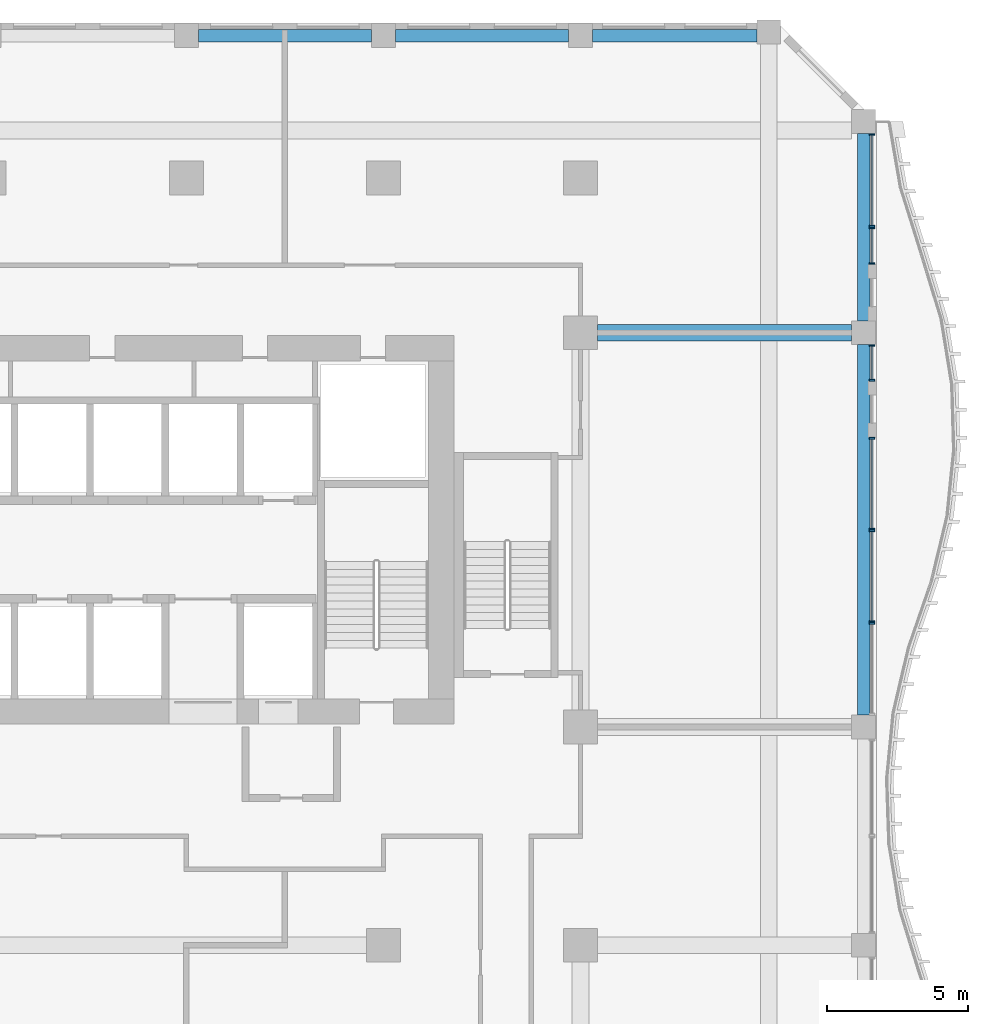
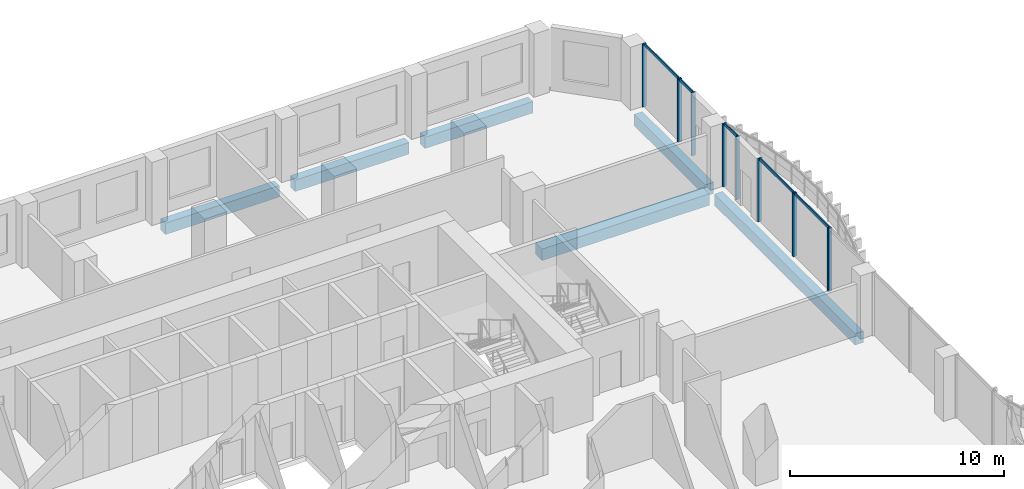
# One storey, part 8 of 19: 16 members, 6 beams, 6 elements without a shape of their own.
"""IFC4 building model written with IfcOpenShell, lengths in metres."""

from ifc_helpers import new_model, si_unit, direction, frame, origin, origin_2d, place, context, subcontext, project, spatial, rectangle, extrude, source, transform, mapped, material, material_profile, profile_set, type_object, element, aggregate, save


model = new_model("IFC4")

# Units and contexts
model_context = context("Model", 3, precision=1e-05, world=origin(), true_north=direction((0.0, 1.0)))
body_context = subcontext(model_context, "Body", "Model", "MODEL_VIEW")
ifc_project = project(units=[si_unit("LENGTHUNIT", "METRE"), si_unit("AREAUNIT", "SQUARE_METRE"), si_unit("VOLUMEUNIT", "CUBIC_METRE"), si_unit("PLANEANGLEUNIT", "RADIAN"), si_unit("MASSUNIT", "GRAM", prefix="KILO")], contexts=[model_context])

# Site, building, storey
site_placement = place(None, origin())
site = spatial("IfcSite", under=ifc_project, at=site_placement, CompositionType="ELEMENT")
building_placement = place(site_placement, origin())
building = spatial("IfcBuilding", under=site, at=building_placement, Name="Kilnfold Tower and Market Hall", CompositionType="ELEMENT")
storey_placement = place(building_placement, frame((0.0, 0.0, 124.60009765625)))
storey = spatial("IfcBuildingStorey", under=building, at=storey_placement, Name="L29", CompositionType="ELEMENT", Elevation=124.60009765625)

# Beams
ifc_material_1 = material(Name="Concrete C45", Category="concrete")
ifc_material_profile_1 = material_profile(ifc_material_1, rectangle(XDim=0.449951171875, YDim=0.64990234375, at=origin_2d()), Name="RC 450x650")
ifc_profile_set_1 = profile_set([ifc_material_profile_1], Name="Concrete C45")
beam_type_1 = type_object("IfcBeamType", Name="EDGE BEAM 450X650 C45", PredefinedType="BEAM", material=ifc_profile_set_1)
shared_shape_1 = source(origin(), body_context, "Body", "SweptSolid", [
    extrude(rectangle(XDim=0.449951171875, YDim=0.64990234375, at=origin_2d()), origin(), (0.0, 0.0, 1.0), 6.14990234375),
])
for number, where, z_axis, x_axis, name in (
    (1, (8.925048828125, 32.550048828125, -0.60498046875), (1.0, 0.0, 0.0), (0.0, 1.0, 0.0), "Beam EB650-B3.71"),
    (2, (15.925048828125, 32.550048828125, -0.60498046875), (1.0, 0.0, 0.0), (0.0, 1.0, 0.0), "Beam EB650-B3.72"),
):
    element("IfcBeam", number, at=place(storey_placement, frame(where, z_axis=z_axis, x_axis=x_axis)), inside=storey, type_object=beam_type_1, Name=name, PredefinedType="BEAM", context=body_context, shape_type="MappedRepresentation", body=[
        mapped(shared_shape_1, transform((0.0, 0.0, 0.0))),
    ])
ifc_material_2 = material(Name="Concrete C45", Category="concrete")
ifc_material_profile_2 = material_profile(ifc_material_2, rectangle(XDim=0.60009765625, YDim=0.64990234375, at=origin_2d()), Name="RC 600x650")
ifc_profile_set_2 = profile_set([ifc_material_profile_2], Name="Concrete C45")
beam_type_2 = type_object("IfcBeamType", Name="BEAM 600X650 C45", PredefinedType="BEAM", material=ifc_profile_set_2)
shared_shape_2 = source(origin(), body_context, "Body", "SweptSolid", [
    extrude(rectangle(XDim=0.60009765625, YDim=0.64990234375, at=origin_2d()), origin(), (0.0, 0.0, 1.0), 9.02490234375),
])
beam_1_placement = place(storey_placement, frame((23.10009765625, 22.0, -0.60498046875), z_axis=(1.0, 0.0, 0.0), x_axis=(0.0, 1.0, 0.0)))
element("IfcBeam", 3, at=beam_1_placement, inside=storey, type_object=beam_type_2, Name="Beam BB650-B3.65", PredefinedType="BEAM", context=body_context, shape_type="MappedRepresentation", body=[
    mapped(shared_shape_2, transform((0.0, 0.0, 0.0))),
])
shared_shape_3 = source(origin(), body_context, "Body", "SweptSolid", [
    extrude(rectangle(XDim=0.449951171875, YDim=0.64990234375, at=origin_2d()), origin(), (0.0, 0.0, 1.0), 5.831787109375),
])
beam_2_placement = place(storey_placement, frame((22.925048828125, 32.550048828125, -0.60498046875), z_axis=(1.0, 0.0, 0.0), x_axis=(0.0, 1.0, 0.0)))
element("IfcBeam", 4, at=beam_2_placement, inside=storey, type_object=beam_type_1, Name="Beam EB650-B3.73", PredefinedType="BEAM", context=body_context, shape_type="MappedRepresentation", body=[
    mapped(shared_shape_3, transform((0.0, 0.0, 0.0))),
])
shared_shape_4 = source(origin(), body_context, "Body", "SweptSolid", [
    extrude(rectangle(XDim=0.449951171875, YDim=0.64990234375, at=origin_2d()), origin(), (0.0, 0.0, 1.0), 13.14990234375),
])
beam_3_placement = place(storey_placement, frame((32.550048828125, 8.425048828125, -0.60498046875), z_axis=(0.0, 1.0, 0.0), x_axis=(-1.0, 0.0, 0.0)))
element("IfcBeam", 5, at=beam_3_placement, inside=storey, type_object=beam_type_1, Name="Beam EB650-B3.86", PredefinedType="BEAM", context=body_context, shape_type="MappedRepresentation", body=[
    mapped(shared_shape_4, transform((0.0, 0.0, 0.0))),
])
shared_shape_5 = source(origin(), body_context, "Body", "SweptSolid", [
    extrude(rectangle(XDim=0.449951171875, YDim=0.64990234375, at=origin_2d()), origin(), (0.0, 0.0, 1.0), 6.64990234375),
])
beam_4_placement = place(storey_placement, frame((32.550048828125, 22.425048828125, -0.60498046875), z_axis=(0.0, 1.0, 0.0), x_axis=(-1.0, 0.0, 0.0)))
element("IfcBeam", 6, at=beam_4_placement, inside=storey, type_object=beam_type_1, Name="Beam EB650-B3.87", PredefinedType="BEAM", context=body_context, shape_type="MappedRepresentation", body=[
    mapped(shared_shape_5, transform((0.0, 0.0, 0.0))),
])

# Curtain wall, member
ifc_material_3 = material(Name="Aluminium and double glazing", Category="aluminium")
curtain_wall_type = type_object("IfcCurtainWallType", Name="CW OF2 VALLEY GLAZING", PredefinedType="NOTDEFINED", material=ifc_material_3)
curtain_wall_1_placement = place(storey_placement, origin())
curtain_wall_1 = element("IfcCurtainWall", 7, at=curtain_wall_1_placement, inside=storey, type_object=curtain_wall_type, Name="Curtain wall CW2 L29 E", PredefinedType="NOTDEFINED")
ifc_material_4 = material(Name="Aluminium", Category="aluminium")
ifc_material_profile_3 = material_profile(ifc_material_4, rectangle(XDim=0.06005859375, YDim=0.159912109375, at=origin_2d()), Name="TRANSOM 60x160")
ifc_profile_set_3 = profile_set([ifc_material_profile_3], Name="Aluminium")
member_type_1 = type_object("IfcMemberType", Name="TRANSOM 60X160", PredefinedType="USERDEFINED", material=ifc_profile_set_3)
shared_shape_6 = source(origin(), body_context, "Body", "SweptSolid", [
    extrude(rectangle(XDim=0.06005859375, YDim=0.159912109375, at=origin_2d()), origin(), (0.0, 0.0, 1.0), 3.16748046875),
])
member_1_placement = place(storey_placement, frame((32.85009765625, 11.7724609375, 3.56982421875), z_axis=(0.0, 1.0, 0.0), x_axis=(-1.0, 0.0, 0.0)))
member_1 = element("IfcMember", 8, at=member_1_placement, type_object=member_type_1, Name="CW2 transom 1.2", ObjectType="TRANSOM", PredefinedType="USERDEFINED", context=body_context, shape_type="MappedRepresentation", body=[
    mapped(shared_shape_6, transform((0.0, 0.0, 0.0))),
])

curtain_wall_2_placement = place(storey_placement, origin())
curtain_wall_2 = element("IfcCurtainWall", 9, at=curtain_wall_2_placement, inside=storey, type_object=curtain_wall_type, Name="Curtain wall CW2 L29 E", PredefinedType="NOTDEFINED")
member_2_placement = place(storey_placement, frame((32.85009765625, 15.06005859375, 3.56982421875), z_axis=(0.0, 1.0, 0.0), x_axis=(-1.0, 0.0, 0.0)))
member_2 = element("IfcMember", 10, at=member_2_placement, type_object=member_type_1, Name="CW2 transom 1.2", ObjectType="TRANSOM", PredefinedType="USERDEFINED", context=body_context, shape_type="MappedRepresentation", body=[
    mapped(shared_shape_6, transform((0.0, 0.0, 0.0))),
])

curtain_wall_3_placement = place(storey_placement, origin())
curtain_wall_3 = element("IfcCurtainWall", 11, at=curtain_wall_3_placement, inside=storey, type_object=curtain_wall_type, Name="Curtain wall CW2 L29 E", PredefinedType="NOTDEFINED")
shared_shape_7 = source(origin(), body_context, "Body", "SweptSolid", [
    extrude(rectangle(XDim=0.06005859375, YDim=0.159912109375, at=origin_2d()), origin(), (0.0, 0.0, 1.0), 3.204833984375),
])
member_3_placement = place(storey_placement, frame((32.85009765625, 25.81005859375, 3.56982421875), z_axis=(0.0, 1.0, 0.0), x_axis=(-1.0, 0.0, 0.0)))
member_3 = element("IfcMember", 12, at=member_3_placement, type_object=member_type_1, Name="CW2 transom 1.2", ObjectType="TRANSOM", PredefinedType="USERDEFINED", context=body_context, shape_type="MappedRepresentation", body=[
    mapped(shared_shape_7, transform((0.0, 0.0, 0.0))),
])

curtain_wall_4_placement = place(storey_placement, origin())
curtain_wall_4 = element("IfcCurtainWall", 13, at=curtain_wall_4_placement, inside=storey, type_object=curtain_wall_type, Name="Curtain wall CW2 L29 E", PredefinedType="NOTDEFINED")
shared_shape_8 = source(origin(), body_context, "Body", "SweptSolid", [
    extrude(rectangle(XDim=0.06005859375, YDim=0.159912109375, at=origin_2d()), origin(), (0.0, 0.0, 1.0), 1.16748046875),
])
member_4_placement = place(storey_placement, frame((32.85009765625, 20.347412109375, 3.56982421875), z_axis=(0.0, 1.0, 0.0), x_axis=(-1.0, 0.0, 0.0)))
member_4 = element("IfcMember", 14, at=member_4_placement, type_object=member_type_1, Name="CW2 transom 1.2", ObjectType="TRANSOM", PredefinedType="USERDEFINED", context=body_context, shape_type="MappedRepresentation", body=[
    mapped(shared_shape_8, transform((0.0, 0.0, 0.0))),
])

curtain_wall_5_placement = place(storey_placement, origin())
curtain_wall_5 = element("IfcCurtainWall", 15, at=curtain_wall_5_placement, inside=storey, type_object=curtain_wall_type, Name="Curtain wall CW2 L29 E", PredefinedType="NOTDEFINED")
shared_shape_9 = source(origin(), body_context, "Body", "SweptSolid", [
    extrude(rectangle(XDim=0.06005859375, YDim=0.159912109375, at=origin_2d()), origin(), (0.0, 0.0, 1.0), 1.204833984375),
])
member_5_placement = place(storey_placement, frame((32.85009765625, 24.485107421875, 3.56982421875), z_axis=(0.0, 1.0, 0.0), x_axis=(-1.0, 0.0, 0.0)))
member_5 = element("IfcMember", 16, at=member_5_placement, type_object=member_type_1, Name="CW2 transom 1.2", ObjectType="TRANSOM", PredefinedType="USERDEFINED", context=body_context, shape_type="MappedRepresentation", body=[
    mapped(shared_shape_9, transform((0.0, 0.0, 0.0))),
])

curtain_wall_6_placement = place(storey_placement, origin())
curtain_wall_6 = element("IfcCurtainWall", 17, at=curtain_wall_6_placement, inside=storey, type_object=curtain_wall_type, Name="Curtain wall CW2 L29 E", PredefinedType="NOTDEFINED")
ifc_material_5 = material(Name="Aluminium", Category="aluminium")
ifc_material_profile_4 = material_profile(ifc_material_5, rectangle(XDim=0.06005859375, YDim=0.199951171875, at=origin_2d()), Name="MULLION 60x200")
ifc_profile_set_4 = profile_set([ifc_material_profile_4], Name="Aluminium")
member_type_2 = type_object("IfcMemberType", Name="MULLION 60X200", PredefinedType="MULLION", material=ifc_profile_set_4)
shared_shape_10 = source(origin(), body_context, "Body", "SweptSolid", [
    extrude(rectangle(XDim=0.06005859375, YDim=0.199951171875, at=origin_2d()), origin(), (0.0, 0.0, 1.0), 3.599853515625),
])
member_6_placement = place(storey_placement, frame((32.85009765625, 11.6826171875, 0.0), z_axis=(0.0, 0.0, 1.0), x_axis=(0.0, 1.0, 0.0)))
member_6 = element("IfcMember", 18, at=member_6_placement, type_object=member_type_2, Name="CW2 mullion 2", PredefinedType="MULLION", context=body_context, shape_type="MappedRepresentation", body=[
    mapped(shared_shape_10, transform((0.0, 0.0, 0.0))),
])
aggregate(curtain_wall_6, [member_6])

# Member
member_7_placement = place(storey_placement, frame((32.85009765625, 11.742431640625, 0.0), z_axis=(0.0, 0.0, 1.0), x_axis=(0.0, 1.0, 0.0)))
member_7 = element("IfcMember", 19, at=member_7_placement, type_object=member_type_2, Name="CW2 mullion 1", PredefinedType="MULLION", context=body_context, shape_type="MappedRepresentation", body=[
    mapped(shared_shape_10, transform((0.0, 0.0, 0.0))),
])

member_8_placement = place(storey_placement, frame((32.85009765625, 14.969970703125, 0.0), z_axis=(0.0, 0.0, 1.0), x_axis=(0.0, 1.0, 0.0)))
member_8 = element("IfcMember", 20, at=member_8_placement, type_object=member_type_2, Name="CW2 mullion 2", PredefinedType="MULLION", context=body_context, shape_type="MappedRepresentation", body=[
    mapped(shared_shape_10, transform((0.0, 0.0, 0.0))),
])

aggregate(curtain_wall_1, [member_7, member_8, member_1])

member_9_placement = place(storey_placement, frame((32.85009765625, 15.030029296875, 0.0), z_axis=(0.0, 0.0, 1.0), x_axis=(0.0, 1.0, 0.0)))
member_9 = element("IfcMember", 21, at=member_9_placement, type_object=member_type_2, Name="CW2 mullion 1", PredefinedType="MULLION", context=body_context, shape_type="MappedRepresentation", body=[
    mapped(shared_shape_10, transform((0.0, 0.0, 0.0))),
])

member_10_placement = place(storey_placement, frame((32.85009765625, 18.257568359375, 0.0), z_axis=(0.0, 0.0, 1.0), x_axis=(0.0, 1.0, 0.0)))
member_10 = element("IfcMember", 22, at=member_10_placement, type_object=member_type_2, Name="CW2 mullion 2", PredefinedType="MULLION", context=body_context, shape_type="MappedRepresentation", body=[
    mapped(shared_shape_10, transform((0.0, 0.0, 0.0))),
])

aggregate(curtain_wall_2, [member_9, member_10, member_2])

member_11_placement = place(storey_placement, frame((32.85009765625, 20.3173828125, 0.0), z_axis=(0.0, 0.0, 1.0), x_axis=(0.0, 1.0, 0.0)))
member_11 = element("IfcMember", 23, at=member_11_placement, type_object=member_type_2, Name="CW2 mullion 1", PredefinedType="MULLION", context=body_context, shape_type="MappedRepresentation", body=[
    mapped(shared_shape_10, transform((0.0, 0.0, 0.0))),
])

member_12_placement = place(storey_placement, frame((32.85009765625, 21.544921875, 0.0), z_axis=(0.0, 0.0, 1.0), x_axis=(0.0, 1.0, 0.0)))
member_12 = element("IfcMember", 24, at=member_12_placement, type_object=member_type_2, Name="CW2 mullion 2", PredefinedType="MULLION", context=body_context, shape_type="MappedRepresentation", body=[
    mapped(shared_shape_10, transform((0.0, 0.0, 0.0))),
])

aggregate(curtain_wall_4, [member_11, member_12, member_4])

member_13_placement = place(storey_placement, frame((32.85009765625, 24.455078125, 0.0), z_axis=(0.0, 0.0, 1.0), x_axis=(0.0, 1.0, 0.0)))
member_13 = element("IfcMember", 25, at=member_13_placement, type_object=member_type_2, Name="CW2 mullion 1", PredefinedType="MULLION", context=body_context, shape_type="MappedRepresentation", body=[
    mapped(shared_shape_10, transform((0.0, 0.0, 0.0))),
])

member_14_placement = place(storey_placement, frame((32.85009765625, 25.719970703125, 0.0), z_axis=(0.0, 0.0, 1.0), x_axis=(0.0, 1.0, 0.0)))
member_14 = element("IfcMember", 26, at=member_14_placement, type_object=member_type_2, Name="CW2 mullion 2", PredefinedType="MULLION", context=body_context, shape_type="MappedRepresentation", body=[
    mapped(shared_shape_10, transform((0.0, 0.0, 0.0))),
])

aggregate(curtain_wall_5, [member_13, member_14, member_5])

member_15_placement = place(storey_placement, frame((32.85009765625, 25.780029296875, 0.0), z_axis=(0.0, 0.0, 1.0), x_axis=(0.0, 1.0, 0.0)))
member_15 = element("IfcMember", 27, at=member_15_placement, type_object=member_type_2, Name="CW2 mullion 1", PredefinedType="MULLION", context=body_context, shape_type="MappedRepresentation", body=[
    mapped(shared_shape_10, transform((0.0, 0.0, 0.0))),
])

member_16_placement = place(storey_placement, frame((32.85009765625, 29.044921875, 0.0), z_axis=(0.0, 0.0, 1.0), x_axis=(0.0, 1.0, 0.0)))
member_16 = element("IfcMember", 28, at=member_16_placement, type_object=member_type_2, Name="CW2 mullion 2", PredefinedType="MULLION", context=body_context, shape_type="MappedRepresentation", body=[
    mapped(shared_shape_10, transform((0.0, 0.0, 0.0))),
])

aggregate(curtain_wall_3, [member_15, member_16, member_3])

save(model, "model.ifc")
